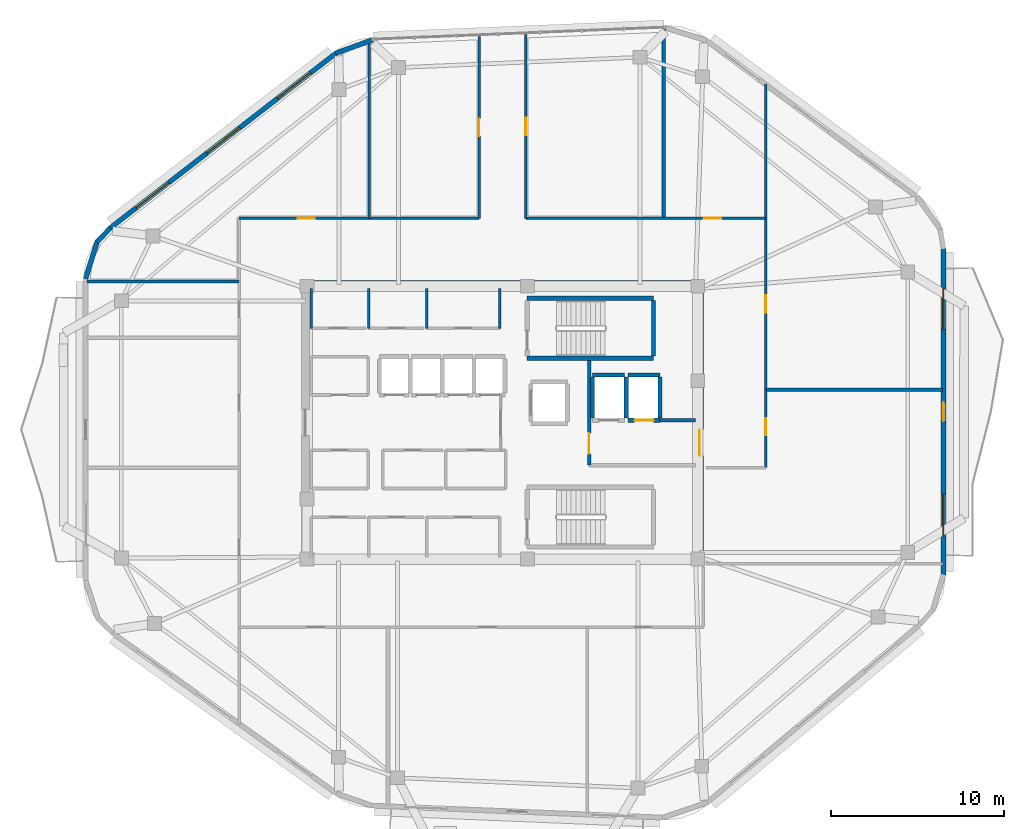
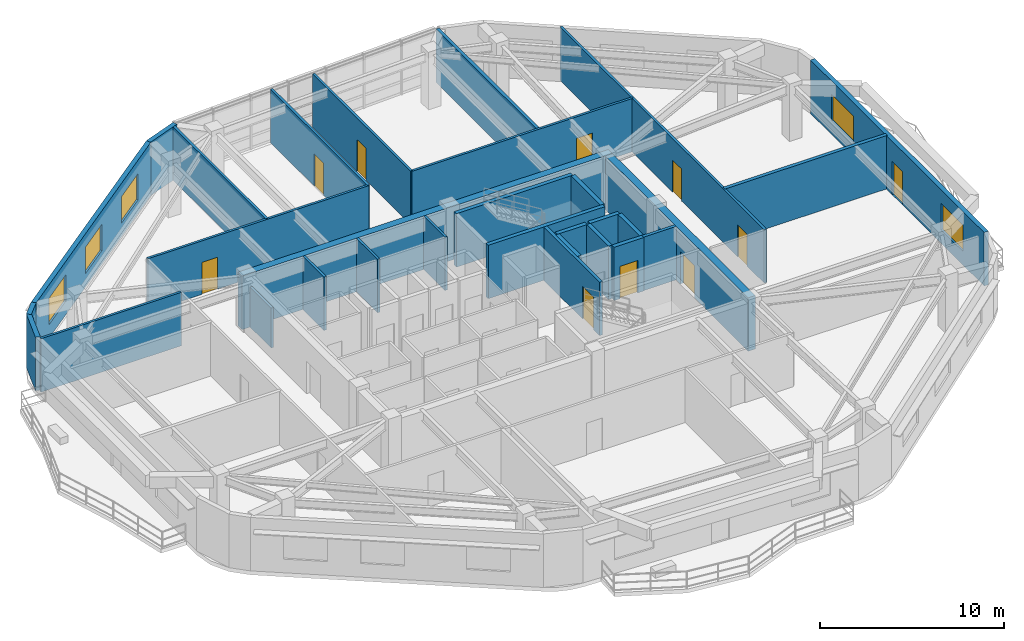
# One storey, part 8 of 12: 31 walls, 10 doors, 5 windows, 15 openings.
"""IFC4 building model written with IfcOpenShell, lengths in metres."""

from ifc_helpers import new_model, si_unit, direction, frame, frame_2d, origin, place, context, subcontext, project, spatial, rectangle, extrude, material, layer, layer_set, type_object, element, fill, save


model = new_model("IFC4")

# Units and contexts
model_context = context("Model", 3, precision=1e-05, world=origin(), true_north=direction((0.0, 1.0)))
body_context = subcontext(model_context, "Body", "Model", "MODEL_VIEW")
ifc_project = project(units=[si_unit("LENGTHUNIT", "METRE"), si_unit("AREAUNIT", "SQUARE_METRE"), si_unit("VOLUMEUNIT", "CUBIC_METRE"), si_unit("PLANEANGLEUNIT", "RADIAN"), si_unit("MASSUNIT", "GRAM", prefix="KILO")], contexts=[model_context])

# Site, building, storey
site_placement = place(None, origin())
site = spatial("IfcSite", under=ifc_project, at=site_placement, CompositionType="ELEMENT")
building_placement = place(site_placement, origin())
building = spatial("IfcBuilding", under=site, at=building_placement, Name="Zulverin Broadcast Headquarters", CompositionType="ELEMENT")
storey_placement = place(building_placement, frame((0.0, 0.0, 285.800048828125)))
storey = spatial("IfcBuildingStorey", under=building, at=storey_placement, Name="L73", CompositionType="ELEMENT", Elevation=285.800048828125)

# Walls
ifc_material_1 = material(Name="Acoustic drywall steel stud", Category="steel")
ifc_layer_1 = layer(ifc_material_1, 0.199951171875, Name="Acoustic drywall steel stud", Category="steel")
ifc_layer_set_1 = layer_set([ifc_layer_1], Name="Acoustic drywall steel stud")
wall_type_1 = type_object("IfcWallType", Name="WL-ACOU-200", PredefinedType="PARTITIONING", material=ifc_layer_set_1)
wall_1_placement = place(storey_placement, frame((46.300048828125, 37.0, 0.0), z_axis=(0.0, 0.0, 1.0), x_axis=(0.0, 1.0, 0.0)))
element("IfcWall", 1, at=wall_1_placement, inside=storey, type_object=wall_type_1, Name="L73 Room Partition Wall RP-03", PredefinedType="PARTITIONING", context=body_context, shape_type="SweptSolid", body=[
    extrude(rectangle(XDim=10.935302734375, YDim=0.199951171875, at=frame_2d((5.4677734375, 0.0))), origin(), (0.0, 0.0, 1.0), 3.5400390625),
])
ifc_material_2 = material(Name="Double-stud acoustic drywall", Category="gypsum")
ifc_layer_2 = layer(ifc_material_2, 0.219970703125, Name="Double-stud acoustic drywall", Category="gypsum")
ifc_layer_set_2 = layer_set([ifc_layer_2], Name="Double-stud acoustic drywall")
wall_type_2 = type_object("IfcWallType", Name="WL-ACOU-220", PredefinedType="PARTITIONING", material=ifc_layer_set_2)
wall_2_placement = place(storey_placement, frame((52.200927734375, 27.10009765625, 0.0), z_axis=(0.0, 0.0, 1.0), x_axis=(1.0, 0.0, 0.0)))
element("IfcWall", 2, at=wall_2_placement, inside=storey, type_object=wall_type_2, Name="L73 Room Partition Wall RP-14", PredefinedType="PARTITIONING", context=body_context, shape_type="SweptSolid", body=[
    extrude(rectangle(XDim=10.194091796875, YDim=0.219970703125, at=frame_2d((5.09716796875, 0.0))), origin(), (0.0, 0.0, 1.0), 3.5400390625),
])
ifc_material_3 = material(Name="Concrete C50/60", Category="concrete")
ifc_layer_3 = layer(ifc_material_3, 0.449951171875, Name="Concrete C50/60", Category="concrete")
ifc_layer_set_3 = layer_set([ifc_layer_3], Name="Concrete C50/60")
wall_type_3 = type_object("IfcWallType", Name="WL-CORE-450", PredefinedType="SHEAR", material=ifc_layer_set_3)
wall_3_placement = place(storey_placement, frame((25.39990234375, 33.175048828125, 0.0), z_axis=(0.0, 0.0, 1.0), x_axis=(1.0, 0.0, 0.0)))
element("IfcWall", 3, at=wall_3_placement, inside=storey, type_object=wall_type_3, Name="L73 Core North Shear Wall", PredefinedType="SHEAR", context=body_context, shape_type="SweptSolid", body=[
    extrude(rectangle(XDim=23.2001953125, YDim=0.449951171875, at=frame_2d((11.60009765625, 0.0))), origin(), (0.0, 0.0, 1.0), 3.5400390625),
])

# Wall, opening, door
wall_4_placement = place(storey_placement, frame((48.375, 17.449951171875, 0.0), z_axis=(0.0, 0.0, 1.0), x_axis=(0.0, 1.0, 0.0)))
wall_4 = element("IfcWall", 4, at=wall_4_placement, inside=storey, type_object=wall_type_3, Name="L73 Core East Shear Wall", PredefinedType="SHEAR", context=body_context, shape_type="SweptSolid", body=[
    extrude(rectangle(XDim=15.5, YDim=0.449951171875, at=frame_2d((7.75, 0.0))), origin(), (0.0, 0.0, 1.0), 3.5400390625),
])
opening_1_placement = place(wall_4_placement, frame((5.85009765625, 0.0, 0.0)))
opening_1 = element("IfcOpeningElement", 5, at=opening_1_placement, cuts=wall_4, Name="Opening D-L73-CE1", PredefinedType="OPENING", context=body_context, shape_type="SweptSolid", body=[
    extrude(rectangle(XDim=1.5, YDim=2.14990234375, at=frame_2d((0.75, 1.074951171875))), frame((0.0, 0.23486328125, 0.0), z_axis=(0.0, -1.0, 0.0), x_axis=(1.0, 0.0, 0.0)), (0.0, 0.0, 1.0), 0.469970703125),
])
ifc_material_4 = material(Name="Fire-rated glazed steel frame", Category="steel")
door_type_1 = type_object("IfcDoorType", Name="DR-COR-1500", OperationType="DOUBLE_DOOR_SINGLE_SWING", PredefinedType="DOOR", material=ifc_material_4)
door_1_placement = place(opening_1_placement, origin())
door_1 = element("IfcDoor", 6, at=door_1_placement, inside=storey, type_object=door_type_1, Name="L73 Firefighting Lobby East Corridor Door", OperationType="DOUBLE_DOOR_SINGLE_SWING", OverallHeight=2.14990234375, OverallWidth=1.5, PredefinedType="DOOR", context=body_context, shape_type="SweptSolid", body=[
    extrude(rectangle(XDim=1.5, YDim=2.14990234375, at=frame_2d((0.75, 1.074951171875))), frame((0.0, 0.02490234375, 0.0), z_axis=(0.0, -1.0, 0.0), x_axis=(1.0, 0.0, 0.0)), (0.0, 0.0, 1.0), 0.050048828125),
])
fill(opening_1, door_1)

# Wall, openings, door, windows
ifc_material_5 = material(Name="Insulated pale-metal clad concrete spandrel C40/50", Category="concrete")
ifc_layer_4 = layer(ifc_material_5, 0.280029296875, Name="Insulated pale-metal clad concrete spandrel C40/50", Category="concrete")
ifc_layer_set_4 = layer_set([ifc_layer_4], Name="Insulated pale-metal clad concrete spandrel C40/50")
wall_type_4 = type_object("IfcWallType", Name="WL-EXT-280", PredefinedType="STANDARD", material=ifc_layer_set_4)
wall_5_placement = place(storey_placement, frame((62.4599609375, 16.3955078125, 0.0), z_axis=(0.0, 0.0, 1.0), x_axis=(0.0, 1.0, 0.0)))
wall_5 = element("IfcWall", 7, at=wall_5_placement, inside=storey, type_object=wall_type_4, Name="L73 Pale-Metal Clad Spandrel Wall 3", PredefinedType="STANDARD", context=body_context, shape_type="SweptSolid", body=[
    extrude(rectangle(XDim=18.8544921875, YDim=0.280029296875, at=frame_2d((9.42724609375, 0.0))), origin(), (0.0, 0.0, 1.0), 3.5400390625),
])
opening_2_placement = place(wall_5_placement, frame((8.877197265625, 0.0, 0.0)))
opening_2 = element("IfcOpeningElement", 8, at=opening_2_placement, cuts=wall_5, Name="Opening D-L73-TR3", PredefinedType="OPENING", context=body_context, shape_type="SweptSolid", body=[
    extrude(rectangle(XDim=1.10009765625, YDim=2.199951171875, at=frame_2d((0.550048828125, 1.10009765625))), frame((0.0, 0.14990234375, 0.0), z_axis=(0.0, -1.0, 0.0), x_axis=(1.0, 0.0, 0.0)), (0.0, 0.0, 1.0), 0.300048828125),
])
opening_3_placement = place(wall_5_placement, frame((2.27587890625, 0.0, 0.89990234375)))
opening_3 = element("IfcOpeningElement", 9, at=opening_3_placement, cuts=wall_5, Name="Opening W-L73-E31", PredefinedType="OPENING", context=body_context, shape_type="SweptSolid", body=[
    extrude(rectangle(XDim=2.39990234375, YDim=1.75, at=frame_2d((1.199951171875, 0.875))), frame((0.0, 0.14990234375, 0.0), z_axis=(0.0, -1.0, 0.0), x_axis=(1.0, 0.0, 0.0)), (0.0, 0.0, 1.0), 0.300048828125),
])
opening_4_placement = place(wall_5_placement, frame((14.1787109375, 0.0, 0.89990234375)))
opening_4 = element("IfcOpeningElement", 10, at=opening_4_placement, cuts=wall_5, Name="Opening W-L73-E32", PredefinedType="OPENING", context=body_context, shape_type="SweptSolid", body=[
    extrude(rectangle(XDim=2.39990234375, YDim=1.75, at=frame_2d((1.199951171875, 0.875))), frame((0.0, 0.14990234375, 0.0), z_axis=(0.0, -1.0, 0.0), x_axis=(1.0, 0.0, 0.0)), (0.0, 0.0, 1.0), 0.300048828125),
])
ifc_material_6 = material(Name="Thermally broken aluminium glazed", Category="aluminium")
door_type_2 = type_object("IfcDoorType", Name="DR-TERR-1100", OperationType="SINGLE_SWING_RIGHT", PredefinedType="DOOR", material=ifc_material_6)
door_2_placement = place(opening_2_placement, origin())
door_2 = element("IfcDoor", 11, at=door_2_placement, inside=storey, type_object=door_type_2, Name="L73 Planted Terrace Glazed Access Door 3", OperationType="SINGLE_SWING_RIGHT", OverallHeight=2.199951171875, OverallWidth=1.10009765625, PredefinedType="DOOR", context=body_context, shape_type="SweptSolid", body=[
    extrude(rectangle(XDim=1.10009765625, YDim=2.199951171875, at=frame_2d((0.550048828125, 1.10009765625))), frame((0.0, 0.02490234375, 0.0), z_axis=(0.0, -1.0, 0.0), x_axis=(1.0, 0.0, 0.0)), (0.0, 0.0, 1.0), 0.050048828125),
])
fill(opening_2, door_2)
ifc_material_7 = material(Name="Pale anodized aluminium frame with solar-control low-E double glazing", Category="aluminium")
window_type = type_object("IfcWindowType", Name="WIN-RIB-2400", PartitioningType="SINGLE_PANEL", PredefinedType="WINDOW", material=ifc_material_7)
window_1_placement = place(opening_3_placement, origin())
window_1 = element("IfcWindow", 12, at=window_1_placement, inside=storey, type_object=window_type, Name="L73 Ribbon Glazing Window 3 1", OverallHeight=1.75, OverallWidth=2.39990234375, PartitioningType="SINGLE_PANEL", PredefinedType="WINDOW", context=body_context, shape_type="SweptSolid", body=[
    extrude(rectangle(XDim=2.39990234375, YDim=1.75, at=frame_2d((1.199951171875, 0.875))), frame((0.0, 0.030029296875, 0.0), z_axis=(0.0, -1.0, 0.0), x_axis=(1.0, 0.0, 0.0)), (0.0, 0.0, 1.0), 0.06005859375),
])
fill(opening_3, window_1)
window_2_placement = place(opening_4_placement, origin())
window_2 = element("IfcWindow", 13, at=window_2_placement, inside=storey, type_object=window_type, Name="L73 Ribbon Glazing Window 3 2", OverallHeight=1.75, OverallWidth=2.39990234375, PartitioningType="SINGLE_PANEL", PredefinedType="WINDOW", context=body_context, shape_type="SweptSolid", body=[
    extrude(rectangle(XDim=2.39990234375, YDim=1.75, at=frame_2d((1.199951171875, 0.875))), frame((0.0, 0.030029296875, 0.0), z_axis=(0.0, -1.0, 0.0), x_axis=(1.0, 0.0, 0.0)), (0.0, 0.0, 1.0), 0.06005859375),
])
fill(opening_4, window_2)

# Wall, openings, windows
wall_6_placement = place(storey_placement, frame((27.4150390625, 46.54736328125, 0.0), z_axis=(0.0, 0.0, 1.0), x_axis=(-0.790789745248, -0.612087884875, 0.0)))
wall_6 = element("IfcWall", 14, at=wall_6_placement, inside=storey, type_object=wall_type_4, Name="L73 Pale-Metal Clad Spandrel Wall 6", PredefinedType="STANDARD", context=body_context, shape_type="SweptSolid", body=[
    extrude(rectangle(XDim=16.509033203125, YDim=0.280029296875, at=frame_2d((8.25439453125, 0.0))), origin(), (0.0, 0.0, 1.0), 3.5400390625),
])
opening_5_placement = place(wall_6_placement, frame((1.885009765625, 0.0, 0.89990234375)))
opening_5 = element("IfcOpeningElement", 15, at=opening_5_placement, cuts=wall_6, Name="Opening W-L73-E61", PredefinedType="OPENING", context=body_context, shape_type="SweptSolid", body=[
    extrude(rectangle(XDim=2.39990234375, YDim=1.75, at=frame_2d((1.199951171875, 0.875))), frame((0.0, 0.14990234375, 0.0), z_axis=(0.0, -1.0, 0.0), x_axis=(1.0, 0.0, 0.0)), (0.0, 0.0, 1.0), 0.300048828125),
])
opening_6_placement = place(wall_6_placement, frame((7.0546875, 0.0, 0.89990234375)))
opening_6 = element("IfcOpeningElement", 16, at=opening_6_placement, cuts=wall_6, Name="Opening W-L73-E62", PredefinedType="OPENING", context=body_context, shape_type="SweptSolid", body=[
    extrude(rectangle(XDim=2.39990234375, YDim=1.75, at=frame_2d((1.199951171875, 0.875))), frame((0.0, 0.14990234375, 0.0), z_axis=(0.0, -1.0, 0.0), x_axis=(1.0, 0.0, 0.0)), (0.0, 0.0, 1.0), 0.300048828125),
])
opening_7_placement = place(wall_6_placement, frame((12.224365234375, 0.0, 0.89990234375)))
opening_7 = element("IfcOpeningElement", 17, at=opening_7_placement, cuts=wall_6, Name="Opening W-L73-E63", PredefinedType="OPENING", context=body_context, shape_type="SweptSolid", body=[
    extrude(rectangle(XDim=2.39990234375, YDim=1.75, at=frame_2d((1.199951171875, 0.875))), frame((0.0, 0.14990234375, 0.0), z_axis=(0.0, -1.0, 0.0), x_axis=(1.0, 0.0, 0.0)), (0.0, 0.0, 1.0), 0.300048828125),
])
window_3_placement = place(opening_5_placement, origin())
window_3 = element("IfcWindow", 18, at=window_3_placement, inside=storey, type_object=window_type, Name="L73 Ribbon Glazing Window 6 1", OverallHeight=1.75, OverallWidth=2.39990234375, PartitioningType="SINGLE_PANEL", PredefinedType="WINDOW", context=body_context, shape_type="SweptSolid", body=[
    extrude(rectangle(XDim=2.39990234375, YDim=1.75, at=frame_2d((1.199951171875, 0.875))), frame((0.0, 0.030029296875, 0.0), z_axis=(0.0, -1.0, 0.0), x_axis=(1.0, 0.0, 0.0)), (0.0, 0.0, 1.0), 0.06005859375),
])
fill(opening_5, window_3)
window_4_placement = place(opening_6_placement, origin())
window_4 = element("IfcWindow", 19, at=window_4_placement, inside=storey, type_object=window_type, Name="L73 Ribbon Glazing Window 6 2", OverallHeight=1.75, OverallWidth=2.39990234375, PartitioningType="SINGLE_PANEL", PredefinedType="WINDOW", context=body_context, shape_type="SweptSolid", body=[
    extrude(rectangle(XDim=2.39990234375, YDim=1.75, at=frame_2d((1.199951171875, 0.875))), frame((0.0, 0.030029296875, 0.0), z_axis=(0.0, -1.0, 0.0), x_axis=(1.0, 0.0, 0.0)), (0.0, 0.0, 1.0), 0.06005859375),
])
fill(opening_6, window_4)
window_5_placement = place(opening_7_placement, origin())
window_5 = element("IfcWindow", 20, at=window_5_placement, inside=storey, type_object=window_type, Name="L73 Ribbon Glazing Window 6 3", OverallHeight=1.75, OverallWidth=2.39990234375, PartitioningType="SINGLE_PANEL", PredefinedType="WINDOW", context=body_context, shape_type="SweptSolid", body=[
    extrude(rectangle(XDim=2.39990234375, YDim=1.75, at=frame_2d((1.199951171875, 0.875))), frame((0.0, 0.030029296875, 0.0), z_axis=(0.0, -1.0, 0.0), x_axis=(1.0, 0.0, 0.0)), (0.0, 0.0, 1.0), 0.06005859375),
])
fill(opening_7, window_5)

# Walls
wall_7_placement = place(storey_placement, frame((29.486083984375, 47.2958984375, 0.0), z_axis=(0.0, 0.0, 1.0), x_axis=(-0.939434048497, -0.342729731019, 0.0)))
element("IfcWall", 21, at=wall_7_placement, inside=storey, type_object=wall_type_4, Name="L73 Wind-Shaped Corner Spandrel Wall 5-1", PredefinedType="STANDARD", context=body_context, shape_type="SweptSolid", body=[
    extrude(rectangle(XDim=2.24462890625, YDim=0.280029296875, at=frame_2d((1.122314453125, 0.0))), origin(), (0.0, 0.0, 1.0), 3.5400390625),
])
wall_8_placement = place(storey_placement, frame((14.37548828125, 36.45654296875, 0.0), z_axis=(0.0, 0.0, 1.0), x_axis=(-0.68895569752, -0.724803453948, 0.0)))
element("IfcWall", 22, at=wall_8_placement, inside=storey, type_object=wall_type_4, Name="L73 Wind-Shaped Corner Spandrel Wall 6-1", PredefinedType="STANDARD", context=body_context, shape_type="SweptSolid", body=[
    extrude(rectangle(XDim=1.15087890625, YDim=0.280029296875, at=frame_2d((0.575439453125, 0.0))), origin(), (0.0, 0.0, 1.0), 3.5400390625),
])
wall_9_placement = place(storey_placement, frame((13.61474609375, 35.677001953125, 0.0), z_axis=(0.0, 0.0, 1.0), x_axis=(-0.299374552426, -0.954135670311, 0.0)))
element("IfcWall", 23, at=wall_9_placement, inside=storey, type_object=wall_type_4, Name="L73 Wind-Shaped Corner Spandrel Wall 6-2", PredefinedType="STANDARD", context=body_context, shape_type="SweptSolid", body=[
    extrude(rectangle(XDim=2.275146484375, YDim=0.280029296875, at=frame_2d((1.1376953125, 0.0))), origin(), (0.0, 0.0, 1.0), 3.5400390625),
])

# Wall, opening, door
ifc_material_8 = material(Name="Concrete C40/50", Category="concrete")
ifc_layer_5 = layer(ifc_material_8, 0.199951171875, Name="Concrete C40/50", Category="concrete")
ifc_layer_set_5 = layer_set([ifc_layer_5], Name="Concrete C40/50")
wall_type_5 = type_object("IfcWallType", Name="WL-FFL-200", PredefinedType="SOLIDWALL", material=ifc_layer_set_5)
wall_10_placement = place(storey_placement, frame((42.0, 22.75, 0.0), z_axis=(0.0, 0.0, 1.0), x_axis=(0.0, 1.0, 0.0)))
wall_10 = element("IfcWall", 24, at=wall_10_placement, inside=storey, type_object=wall_type_5, Name="L73 Firefighting Lift Lobby West Wall", PredefinedType="SOLIDWALL", context=body_context, shape_type="SweptSolid", body=[
    extrude(rectangle(XDim=6.050048828125, YDim=0.199951171875, at=frame_2d((3.02490234375, 0.0))), origin(), (0.0, 0.0, 1.0), 3.5400390625),
])
opening_8_placement = place(wall_10_placement, frame((0.64990234375, 0.0, 0.0)))
opening_8 = element("IfcOpeningElement", 25, at=opening_8_placement, cuts=wall_10, Name="Opening D-L73-FFLW", PredefinedType="OPENING", context=body_context, shape_type="SweptSolid", body=[
    extrude(rectangle(XDim=1.199951171875, YDim=2.14990234375, at=frame_2d((0.60009765625, 1.074951171875))), frame((0.0, 0.10986328125, 0.0), z_axis=(0.0, -1.0, 0.0), x_axis=(1.0, 0.0, 0.0)), (0.0, 0.0, 1.0), 0.219970703125),
])
ifc_material_9 = material(Name="Fire-rated steel leaf and frame", Category="steel")
door_type_3 = type_object("IfcDoorType", Name="DR-FFL-1200", OperationType="SINGLE_SWING_RIGHT", PredefinedType="DOOR", material=ifc_material_9)
door_3_placement = place(opening_8_placement, origin())
door_3 = element("IfcDoor", 26, at=door_3_placement, inside=storey, type_object=door_type_3, Name="L73 Firefighting Lift Lobby Door", OperationType="SINGLE_SWING_RIGHT", OverallHeight=2.14990234375, OverallWidth=1.199951171875, PredefinedType="DOOR", context=body_context, shape_type="SweptSolid", body=[
    extrude(rectangle(XDim=1.199951171875, YDim=2.14990234375, at=frame_2d((0.60009765625, 1.074951171875))), frame((0.0, 0.02490234375, 0.0), z_axis=(0.0, -1.0, 0.0), x_axis=(1.0, 0.0, 0.0)), (0.0, 0.0, 1.0), 0.050048828125),
])
fill(opening_8, door_3)

# Walls
wall_11_placement = place(storey_placement, frame((46.10009765625, 25.35009765625, 0.0), z_axis=(0.0, 0.0, 1.0), x_axis=(1.0, 0.0, 0.0)))
element("IfcWall", 27, at=wall_11_placement, inside=storey, type_object=wall_type_5, Name="L73 Firefighting Lift Lobby North Wall", PredefinedType="SOLIDWALL", context=body_context, shape_type="SweptSolid", body=[
    extrude(rectangle(XDim=2.0498046875, YDim=0.199951171875, at=frame_2d((1.02490234375, 0.0))), origin(), (0.0, 0.0, 1.0), 3.5400390625),
])
ifc_material_10 = material(Name="Fire-rated gypsum stud partition", Category="gypsum")
ifc_layer_6 = layer(ifc_material_10, 0.14990234375, Name="Fire-rated gypsum stud partition", Category="gypsum")
ifc_layer_set_6 = layer_set([ifc_layer_6], Name="Fire-rated gypsum stud partition")
wall_type_6 = type_object("IfcWallType", Name="WL-PART-150", PredefinedType="PARTITIONING", material=ifc_layer_set_6)
wall_12_placement = place(storey_placement, frame((25.969970703125, 30.64990234375, 0.0), z_axis=(0.0, 0.0, 1.0), x_axis=(0.0, 1.0, 0.0)))
element("IfcWall", 28, at=wall_12_placement, inside=storey, type_object=wall_type_6, Name="L73 Core Male WC West Wall", PredefinedType="PARTITIONING", context=body_context, shape_type="SweptSolid", body=[
    extrude(rectangle(XDim=2.300048828125, YDim=0.14990234375, at=frame_2d((1.14990234375, 0.0))), origin(), (0.0, 0.0, 1.0), 2.639892578125),
])
for number, where, z_axis, x_axis, name in (
    (29, (29.280029296875, 30.64990234375, 0.0), (0.0, 0.0, 1.0), (0.0, 1.0, 0.0), "L73 Core Accessible WC West Wall"),
    (30, (32.6298828125, 30.64990234375, 0.0), (0.0, 0.0, 1.0), (0.0, 1.0, 0.0), "L73 Core Electrical Distribution Riser West Wall"),
    (31, (36.85009765625, 30.64990234375, 0.0), (0.0, 0.0, 1.0), (0.0, 1.0, 0.0), "L73 Core Electrical Distribution Riser East Wall"),
):
    element("IfcWall", number, at=place(storey_placement, frame(where, z_axis=z_axis, x_axis=x_axis)), inside=storey, type_object=wall_type_6, Name=name, PredefinedType="PARTITIONING", context=body_context, shape_type="SweptSolid", body=[
        extrude(rectangle(XDim=2.300048828125, YDim=0.14990234375, at=frame_2d((1.14990234375, 0.0))), origin(), (0.0, 0.0, 1.0), 3.5400390625),
    ])

# Wall, openings, doors
wall_13_placement = place(storey_placement, frame((52.199951171875, 22.60009765625, 0.0), z_axis=(0.0, 0.0, 1.0), x_axis=(0.0, 1.0, 0.0)))
wall_13 = element("IfcWall", 32, at=wall_13_placement, inside=storey, type_object=wall_type_6, Name="L73 Gallery Partition Wall CG-01", PredefinedType="PARTITIONING", context=body_context, shape_type="SweptSolid", body=[
    extrude(rectangle(XDim=22.152587890625, YDim=0.14990234375, at=frame_2d((11.076171875, 0.0))), origin(), (0.0, 0.0, 1.0), 3.5400390625),
])
opening_9_placement = place(wall_13_placement, frame((1.8701171875, 0.0, 0.0)))
opening_9 = element("IfcOpeningElement", 33, at=opening_9_placement, cuts=wall_13, Name="Opening D-L73-11", PredefinedType="OPENING", context=body_context, shape_type="SweptSolid", body=[
    extrude(rectangle(XDim=1.0, YDim=2.1201171875, at=frame_2d((0.5, 1.06005859375))), frame((0.0, 0.0849609375, 0.0), z_axis=(0.0, -1.0, 0.0), x_axis=(1.0, 0.0, 0.0)), (0.0, 0.0, 1.0), 0.169921875),
])
opening_10_placement = place(wall_13_placement, frame((8.949951171875, 0.0, 0.0)))
opening_10 = element("IfcOpeningElement", 34, at=opening_10_placement, cuts=wall_13, Name="Opening D-L73-12", PredefinedType="OPENING", context=body_context, shape_type="SweptSolid", body=[
    extrude(rectangle(XDim=1.0, YDim=2.1201171875, at=frame_2d((0.5, 1.06005859375))), frame((0.0, 0.0849609375, 0.0), z_axis=(0.0, -1.0, 0.0), x_axis=(1.0, 0.0, 0.0)), (0.0, 0.0, 1.0), 0.169921875),
])
ifc_material_11 = material(Name="Hardwood veneer acoustic leaf", Category="wood")
door_type_4 = type_object("IfcDoorType", Name="DR-OFF-1000", OperationType="SINGLE_SWING_LEFT", PredefinedType="DOOR", material=ifc_material_11)
door_4_placement = place(opening_9_placement, origin())
door_4 = element("IfcDoor", 35, at=door_4_placement, inside=storey, type_object=door_type_4, Name="L73 Chairman Suite Office Door", OperationType="SINGLE_SWING_RIGHT", OverallHeight=2.1201171875, OverallWidth=1.0, PredefinedType="DOOR", context=body_context, shape_type="SweptSolid", body=[
    extrude(rectangle(XDim=1.0, YDim=2.1201171875, at=frame_2d((0.5, 1.06005859375))), frame((0.0, 0.02490234375, 0.0), z_axis=(0.0, -1.0, 0.0), x_axis=(1.0, 0.0, 0.0)), (0.0, 0.0, 1.0), 0.050048828125),
])
fill(opening_9, door_4)
door_5_placement = place(opening_10_placement, origin())
door_5 = element("IfcDoor", 36, at=door_5_placement, inside=storey, type_object=door_type_4, Name="L73 Chief Engineer Office Door", OperationType="SINGLE_SWING_LEFT", OverallHeight=2.1201171875, OverallWidth=1.0, PredefinedType="DOOR", context=body_context, shape_type="SweptSolid", body=[
    extrude(rectangle(XDim=1.0, YDim=2.1201171875, at=frame_2d((0.5, 1.06005859375))), frame((0.0, 0.02490234375, 0.0), z_axis=(0.0, -1.0, 0.0), x_axis=(1.0, 0.0, 0.0)), (0.0, 0.0, 1.0), 0.050048828125),
])
fill(opening_10, door_5)

# Wall, opening, door
wall_14_placement = place(storey_placement, frame((38.35009765625, 37.0, 0.0), z_axis=(0.0, 0.0, 1.0), x_axis=(0.0, 1.0, 0.0)))
wall_14 = element("IfcWall", 37, at=wall_14_placement, inside=storey, type_object=wall_type_6, Name="L73 Gallery Partition Wall CG-05", PredefinedType="PARTITIONING", context=body_context, shape_type="SweptSolid", body=[
    extrude(rectangle(XDim=10.608642578125, YDim=0.14990234375, at=frame_2d((5.30419921875, 0.0))), origin(), (0.0, 0.0, 1.0), 3.5400390625),
])
opening_11_placement = place(wall_14_placement, frame((4.80419921875, 0.0, 0.0)))
opening_11 = element("IfcOpeningElement", 38, at=opening_11_placement, cuts=wall_14, Name="Opening D-L73-03", PredefinedType="OPENING", context=body_context, shape_type="SweptSolid", body=[
    extrude(rectangle(XDim=1.0, YDim=2.1201171875, at=frame_2d((0.5, 1.06005859375))), frame((0.0, 0.0849609375, 0.0), z_axis=(0.0, -1.0, 0.0), x_axis=(1.0, 0.0, 0.0)), (0.0, 0.0, 1.0), 0.169921875),
])
door_6_placement = place(opening_11_placement, origin())
door_6 = element("IfcDoor", 39, at=door_6_placement, inside=storey, type_object=door_type_4, Name="L73 General Counsel Office Door", OperationType="SINGLE_SWING_RIGHT", OverallHeight=2.1201171875, OverallWidth=1.0, PredefinedType="DOOR", context=body_context, shape_type="SweptSolid", body=[
    extrude(rectangle(XDim=1.0, YDim=2.1201171875, at=frame_2d((0.5, 1.06005859375))), frame((0.0, 0.02490234375, 0.0), z_axis=(0.0, -1.0, 0.0), x_axis=(1.0, 0.0, 0.0)), (0.0, 0.0, 1.0), 0.050048828125),
])
fill(opening_11, door_6)

wall_15_placement = place(storey_placement, frame((35.64990234375, 37.0, 0.0), z_axis=(0.0, 0.0, 1.0), x_axis=(0.0, 1.0, 0.0)))
wall_15 = element("IfcWall", 40, at=wall_15_placement, inside=storey, type_object=wall_type_6, Name="L73 Gallery Partition Wall CG-06", PredefinedType="PARTITIONING", context=body_context, shape_type="SweptSolid", body=[
    extrude(rectangle(XDim=10.49755859375, YDim=0.14990234375, at=frame_2d((5.248779296875, 0.0))), origin(), (0.0, 0.0, 1.0), 3.5400390625),
])
opening_12_placement = place(wall_15_placement, frame((4.748779296875, 0.0, 0.0)))
opening_12 = element("IfcOpeningElement", 41, at=opening_12_placement, cuts=wall_15, Name="Opening D-L73-02", PredefinedType="OPENING", context=body_context, shape_type="SweptSolid", body=[
    extrude(rectangle(XDim=1.0, YDim=2.1201171875, at=frame_2d((0.5, 1.06005859375))), frame((0.0, 0.0849609375, 0.0), z_axis=(0.0, -1.0, 0.0), x_axis=(1.0, 0.0, 0.0)), (0.0, 0.0, 1.0), 0.169921875),
])
door_7_placement = place(opening_12_placement, origin())
door_7 = element("IfcDoor", 42, at=door_7_placement, inside=storey, type_object=door_type_4, Name="L73 Chief Engineer Office Door", OperationType="SINGLE_SWING_LEFT", OverallHeight=2.1201171875, OverallWidth=1.0, PredefinedType="DOOR", context=body_context, shape_type="SweptSolid", body=[
    extrude(rectangle(XDim=1.0, YDim=2.1201171875, at=frame_2d((0.5, 1.06005859375))), frame((0.0, 0.02490234375, 0.0), z_axis=(0.0, -1.0, 0.0), x_axis=(1.0, 0.0, 0.0)), (0.0, 0.0, 1.0), 0.050048828125),
])
fill(opening_12, door_7)

# Walls
wall_16_placement = place(storey_placement, frame((29.300048828125, 37.0, 0.0), z_axis=(0.0, 0.0, 1.0), x_axis=(0.0, 1.0, 0.0)))
element("IfcWall", 43, at=wall_16_placement, inside=storey, type_object=wall_type_6, Name="L73 Room Partition Wall RP-08", PredefinedType="PARTITIONING", context=body_context, shape_type="SweptSolid", body=[
    extrude(rectangle(XDim=10.2158203125, YDim=0.14990234375, at=frame_2d((5.10791015625, 0.0))), origin(), (0.0, 0.0, 1.0), 3.5400390625),
])
wall_17_placement = place(storey_placement, frame((13.0048828125, 33.35009765625, 0.0), z_axis=(0.0, 0.0, 1.0), x_axis=(1.0, 0.0, 0.0)))
element("IfcWall", 44, at=wall_17_placement, inside=storey, type_object=wall_type_6, Name="L73 Room Partition Wall RP-16", PredefinedType="PARTITIONING", context=body_context, shape_type="SweptSolid", body=[
    extrude(rectangle(XDim=8.795166015625, YDim=0.14990234375, at=frame_2d((4.3974609375, 0.0))), origin(), (0.0, 0.0, 1.0), 3.5400390625),
])

# Wall, opening, door
wall_18_placement = place(storey_placement, frame((21.800048828125, 37.0, 0.0), z_axis=(0.0, 0.0, 1.0), x_axis=(1.0, 0.0, 0.0)))
wall_18 = element("IfcWall", 45, at=wall_18_placement, inside=storey, type_object=wall_type_6, Name="L73 Gallery Partition Wall CG-17", PredefinedType="PARTITIONING", context=body_context, shape_type="SweptSolid", body=[
    extrude(rectangle(XDim=13.849853515625, YDim=0.14990234375, at=frame_2d((6.9248046875, 0.0))), origin(), (0.0, 0.0, 1.0), 3.5400390625),
])
opening_13_placement = place(wall_18_placement, frame((3.3701171875, 0.0, 0.0)))
opening_13 = element("IfcOpeningElement", 46, at=opening_13_placement, cuts=wall_18, Name="Opening D-L73-01", PredefinedType="OPENING", context=body_context, shape_type="SweptSolid", body=[
    extrude(rectangle(XDim=1.0, YDim=2.1201171875, at=frame_2d((0.5, 1.06005859375))), frame((0.0, 0.0849609375, 0.0), z_axis=(0.0, -1.0, 0.0), x_axis=(1.0, 0.0, 0.0)), (0.0, 0.0, 1.0), 0.169921875),
])
door_8_placement = place(opening_13_placement, origin())
door_8 = element("IfcDoor", 47, at=door_8_placement, inside=storey, type_object=door_type_4, Name="L73 Chairman Suite Office Door", OperationType="SINGLE_SWING_RIGHT", OverallHeight=2.1201171875, OverallWidth=1.0, PredefinedType="DOOR", context=body_context, shape_type="SweptSolid", body=[
    extrude(rectangle(XDim=1.0, YDim=2.1201171875, at=frame_2d((0.5, 1.06005859375))), frame((0.0, 0.02490234375, 0.0), z_axis=(0.0, -1.0, 0.0), x_axis=(1.0, 0.0, 0.0)), (0.0, 0.0, 1.0), 0.050048828125),
])
fill(opening_13, door_8)

wall_19_placement = place(storey_placement, frame((38.35009765625, 37.0, 0.0), z_axis=(0.0, 0.0, 1.0), x_axis=(1.0, 0.0, 0.0)))
wall_19 = element("IfcWall", 48, at=wall_19_placement, inside=storey, type_object=wall_type_6, Name="L73 Gallery Partition Wall CG-18", PredefinedType="PARTITIONING", context=body_context, shape_type="SweptSolid", body=[
    extrude(rectangle(XDim=13.849853515625, YDim=0.14990234375, at=frame_2d((6.9248046875, 0.0))), origin(), (0.0, 0.0, 1.0), 3.5400390625),
])
opening_14_placement = place(wall_19_placement, frame((10.280029296875, 0.0, 0.0)))
opening_14 = element("IfcOpeningElement", 49, at=opening_14_placement, cuts=wall_19, Name="Opening D-L73-04", PredefinedType="OPENING", context=body_context, shape_type="SweptSolid", body=[
    extrude(rectangle(XDim=1.0, YDim=2.1201171875, at=frame_2d((0.5, 1.06005859375))), frame((0.0, 0.0849609375, 0.0), z_axis=(0.0, -1.0, 0.0), x_axis=(1.0, 0.0, 0.0)), (0.0, 0.0, 1.0), 0.169921875),
])
door_9_placement = place(opening_14_placement, origin())
door_9 = element("IfcDoor", 50, at=door_9_placement, inside=storey, type_object=door_type_4, Name="L73 Director Office Door", OperationType="SINGLE_SWING_LEFT", OverallHeight=2.1201171875, OverallWidth=1.0, PredefinedType="DOOR", context=body_context, shape_type="SweptSolid", body=[
    extrude(rectangle(XDim=1.0, YDim=2.1201171875, at=frame_2d((0.5, 1.06005859375))), frame((0.0, 0.02490234375, 0.0), z_axis=(0.0, -1.0, 0.0), x_axis=(1.0, 0.0, 0.0)), (0.0, 0.0, 1.0), 0.050048828125),
])
fill(opening_14, door_9)

# Walls
ifc_layer_7 = layer(ifc_material_3, 0.25, Name="Concrete C50/60", Category="concrete")
ifc_layer_set_7 = layer_set([ifc_layer_7], Name="Concrete C50/60")
wall_type_7 = type_object("IfcWallType", Name="WL-SHAFT-250", PredefinedType="SHEAR", material=ifc_layer_set_7)
for number, where, z_axis, x_axis, name in (
    (51, (38.425048828125, 28.925048828125, 0.0), (0.0, 0.0, 1.0), (1.0, 0.0, 0.0), "L73 ST-1 Enclosure Wall S"),
    (52, (38.425048828125, 32.375, 0.0), (0.0, 0.0, 1.0), (1.0, 0.0, 0.0), "L73 ST-1 Enclosure Wall N"),
):
    element("IfcWall", number, at=place(storey_placement, frame(where, z_axis=z_axis, x_axis=x_axis)), inside=storey, type_object=wall_type_7, Name=name, PredefinedType="SHEAR", context=body_context, shape_type="SweptSolid", body=[
        extrude(rectangle(XDim=7.300048828125, YDim=0.25, at=frame_2d((3.64990234375, 0.0))), origin(), (0.0, 0.0, 1.0), 3.5400390625),
    ])
wall_20_placement = place(storey_placement, frame((45.72509765625, 29.050048828125, 0.0), z_axis=(0.0, 0.0, 1.0), x_axis=(0.0, 1.0, 0.0)))
element("IfcWall", 53, at=wall_20_placement, inside=storey, type_object=wall_type_7, Name="L73 ST-1 Enclosure Wall E", PredefinedType="SHEAR", context=body_context, shape_type="SweptSolid", body=[
    extrude(rectangle(XDim=3.199951171875, YDim=0.25, at=frame_2d((1.60009765625, 0.0))), origin(), (0.0, 0.0, 1.0), 3.5400390625),
])
wall_21_placement = place(storey_placement, frame((42.199951171875, 27.949951171875, 0.0), z_axis=(0.0, 0.0, 1.0), x_axis=(1.0, 0.0, 0.0)))
element("IfcWall", 54, at=wall_21_placement, inside=storey, type_object=wall_type_7, Name="L73 Lift FFL-1 Shaft Wall N", PredefinedType="SHEAR", context=body_context, shape_type="SweptSolid", body=[
    extrude(rectangle(XDim=1.85009765625, YDim=0.25, at=frame_2d((0.925048828125, 0.0))), origin(), (0.0, 0.0, 1.0), 3.5400390625),
])
for number, where, z_axis, x_axis, name in (
    (55, (42.199951171875, 25.469970703125, 0.0), (0.0, 0.0, 1.0), (0.0, 1.0, 0.0), "L73 Lift FFL-1 Shaft Wall W"),
    (56, (44.14990234375, 25.469970703125, 0.0), (0.0, 0.0, 1.0), (0.0, 1.0, 0.0), "L73 Lift FFL-1 Shaft Wall E"),
):
    element("IfcWall", number, at=place(storey_placement, frame(where, z_axis=z_axis, x_axis=x_axis)), inside=storey, type_object=wall_type_7, Name=name, PredefinedType="SHEAR", context=body_context, shape_type="SweptSolid", body=[
        extrude(rectangle(XDim=2.360107421875, YDim=0.25, at=frame_2d((1.18017578125, 0.0))), origin(), (0.0, 0.0, 1.0), 3.5400390625),
    ])

# Wall, opening, door
wall_22_placement = place(storey_placement, frame((44.25, 25.35009765625, 0.0), z_axis=(0.0, 0.0, 1.0), x_axis=(1.0, 0.0, 0.0)))
wall_22 = element("IfcWall", 57, at=wall_22_placement, inside=storey, type_object=wall_type_7, Name="L73 Lift FFL-2 Shaft Wall S", PredefinedType="SHEAR", context=body_context, shape_type="SweptSolid", body=[
    extrude(rectangle(XDim=1.85009765625, YDim=0.25, at=frame_2d((0.925048828125, 0.0))), origin(), (0.0, 0.0, 1.0), 3.5400390625),
])
opening_15_placement = place(wall_22_placement, frame((0.375, 0.0, 0.0)))
opening_15 = element("IfcOpeningElement", 58, at=opening_15_placement, cuts=wall_22, Name="Opening LD-FFL-2-L73", PredefinedType="OPENING", context=body_context, shape_type="SweptSolid", body=[
    extrude(rectangle(XDim=1.10009765625, YDim=2.14990234375, at=frame_2d((0.550048828125, 1.074951171875))), frame((0.0, 0.135009765625, 0.0), z_axis=(0.0, -1.0, 0.0), x_axis=(1.0, 0.0, 0.0)), (0.0, 0.0, 1.0), 0.27001953125),
])
ifc_material_12 = material(Name="Fire-rated stainless landing door", Category="steel")
door_type_5 = type_object("IfcDoorType", Name="LD-FFL-1100", OperationType="DOUBLE_DOOR_SLIDING", PredefinedType="DOOR", material=ifc_material_12)
door_10_placement = place(opening_15_placement, origin())
door_10 = element("IfcDoor", 59, at=door_10_placement, inside=storey, type_object=door_type_5, Name="L73 Lift FFL-2 Sliding Landing Door", OperationType="DOUBLE_DOOR_SLIDING", OverallHeight=2.14990234375, OverallWidth=1.10009765625, PredefinedType="DOOR", context=body_context, shape_type="SweptSolid", body=[
    extrude(rectangle(XDim=1.10009765625, YDim=2.14990234375, at=frame_2d((0.550048828125, 1.074951171875))), frame((0.0, 0.02490234375, 0.0), z_axis=(0.0, -1.0, 0.0), x_axis=(1.0, 0.0, 0.0)), (0.0, 0.0, 1.0), 0.050048828125),
])
fill(opening_15, door_10)

# Walls
wall_23_placement = place(storey_placement, frame((44.25, 27.949951171875, 0.0), z_axis=(0.0, 0.0, 1.0), x_axis=(1.0, 0.0, 0.0)))
element("IfcWall", 60, at=wall_23_placement, inside=storey, type_object=wall_type_7, Name="L73 Lift FFL-2 Shaft Wall N", PredefinedType="SHEAR", context=body_context, shape_type="SweptSolid", body=[
    extrude(rectangle(XDim=1.85009765625, YDim=0.25, at=frame_2d((0.925048828125, 0.0))), origin(), (0.0, 0.0, 1.0), 3.5400390625),
])
wall_24_placement = place(storey_placement, frame((46.10009765625, 25.469970703125, 0.0), z_axis=(0.0, 0.0, 1.0), x_axis=(0.0, 1.0, 0.0)))
element("IfcWall", 61, at=wall_24_placement, inside=storey, type_object=wall_type_7, Name="L73 Lift FFL-2 Shaft Wall E", PredefinedType="SHEAR", context=body_context, shape_type="SweptSolid", body=[
    extrude(rectangle(XDim=2.360107421875, YDim=0.25, at=frame_2d((1.18017578125, 0.0))), origin(), (0.0, 0.0, 1.0), 3.5400390625),
])

save(model, "model.ifc")
